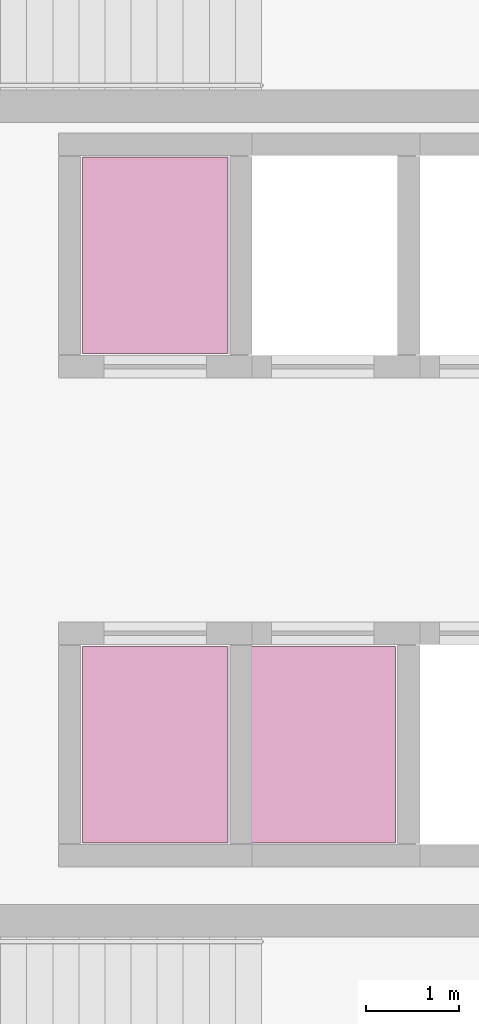
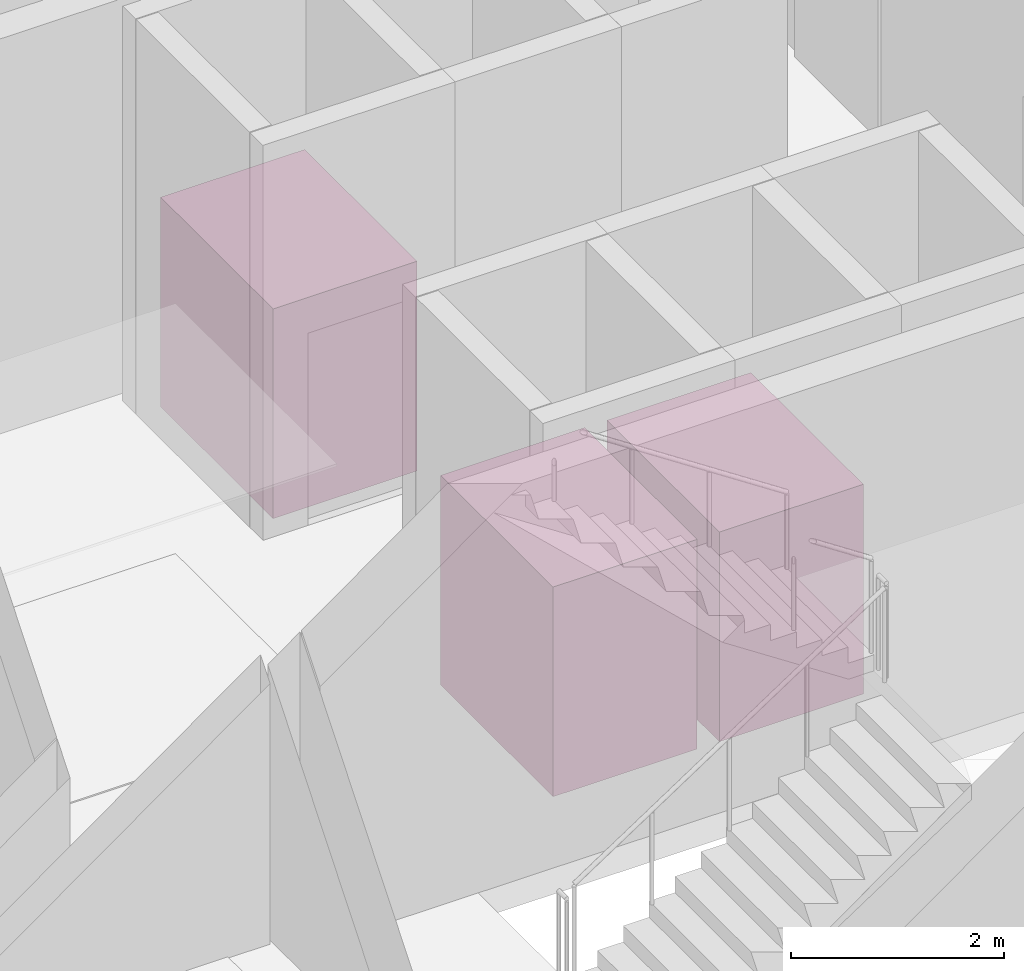
# One storey, part 42 of 42: 3 transport elements.
"""IFC4 building model written with IfcOpenShell, lengths in metres."""

from ifc_helpers import new_model, si_unit, direction, frame, origin, origin_2d, place, context, subcontext, project, spatial, rectangle, extrude, material, type_object, element, save


model = new_model("IFC4")

# Units and contexts
model_context = context("Model", 3, precision=1e-05, world=origin(), true_north=direction((0.0, 1.0)))
body_context = subcontext(model_context, "Body", "Model", "MODEL_VIEW")
ifc_project = project(units=[si_unit("LENGTHUNIT", "METRE"), si_unit("AREAUNIT", "SQUARE_METRE"), si_unit("VOLUMEUNIT", "CUBIC_METRE"), si_unit("PLANEANGLEUNIT", "RADIAN"), si_unit("MASSUNIT", "GRAM", prefix="KILO")], contexts=[model_context])

# Site, building, storey
site_placement = place(None, origin())
site = spatial("IfcSite", under=ifc_project, at=site_placement, CompositionType="ELEMENT")
building_placement = place(site_placement, origin())
building = spatial("IfcBuilding", under=site, at=building_placement, Name="Qorvath Tower", CompositionType="ELEMENT")
storey_placement = place(building_placement, frame((0.0, 0.0, 105.0)))
storey = spatial("IfcBuildingStorey", under=building, at=storey_placement, Name="L23", CompositionType="ELEMENT", Elevation=105.0)

# Transport elements
ifc_material = material(Name="Brushed stainless steel AISI 316", Category="steel")
transport_element_type = type_object("IfcTransportElementType", Name="LFT-PASS", PredefinedType="ELEVATOR", material=ifc_material)
for number, where, z_axis, x_axis, name in (
    (1, (-20.449951171875, 2.625, 0.0), (0.0, 0.0, 1.0), (1.0, 0.0, 0.0), "Elevator PM-1"),
    (2, (-20.449951171875, -2.625, 0.0), (0.0, 0.0, 1.0), (1.0, 0.0, 0.0), "Elevator PM-2"),
    (3, (-18.64990234375, -2.625, 0.0), (0.0, 0.0, 1.0), (1.0, 0.0, 0.0), "Elevator PM-3"),
):
    element("IfcTransportElement", number, at=place(storey_placement, frame(where, z_axis=z_axis, x_axis=x_axis)), inside=storey, type_object=transport_element_type, Name=name, PredefinedType="ELEVATOR", context=body_context, shape_type="SweptSolid", body=[
        extrude(rectangle(XDim=1.56005859375, YDim=2.110107421875, at=origin_2d()), origin(), (0.0, 0.0, 1.0), 2.39990234375),
    ])

save(model, "model.ifc")
